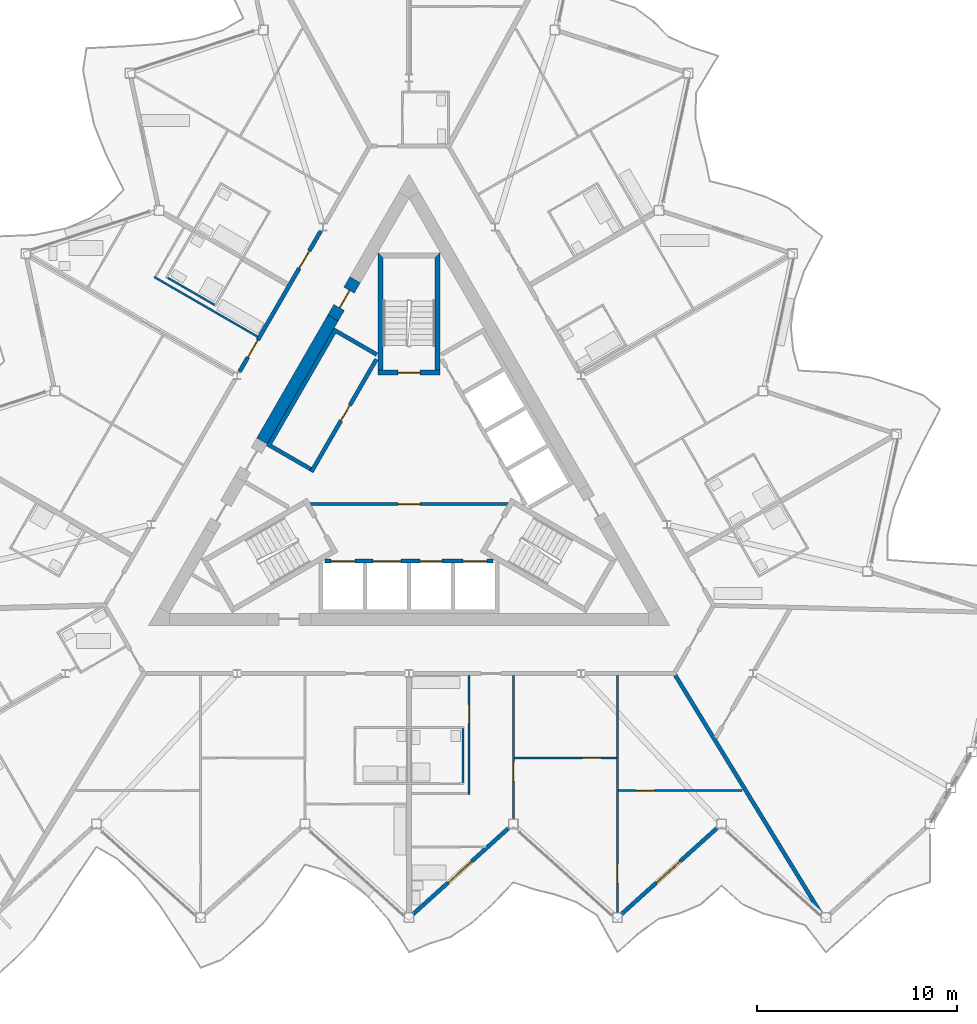
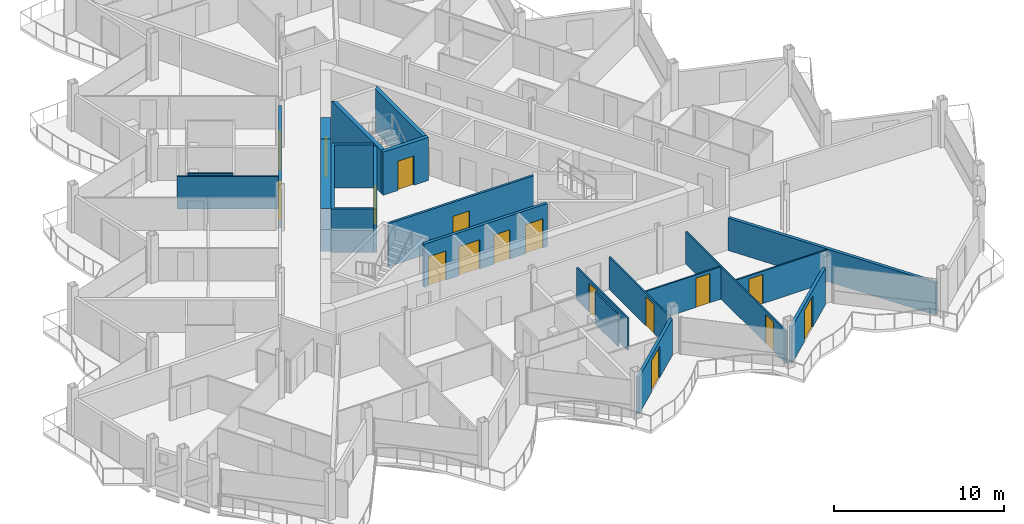
# One storey, part 14 of 26: 21 walls, 17 doors, 17 openings.
"""IFC4 building model written with IfcOpenShell, lengths in metres."""

from ifc_helpers import new_model, si_unit, direction, frame, frame_2d, origin, place, context, subcontext, project, spatial, polyline, rectangle, outline, extrude, material, layer, layer_set, type_object, element, fill, save


model = new_model("IFC4")

# Units and contexts
model_context = context("Model", 3, precision=1e-05, world=origin(), true_north=direction((0.0, 1.0)))
body_context = subcontext(model_context, "Body", "Model", "MODEL_VIEW")
ifc_project = project(units=[si_unit("LENGTHUNIT", "METRE"), si_unit("AREAUNIT", "SQUARE_METRE"), si_unit("VOLUMEUNIT", "CUBIC_METRE"), si_unit("PLANEANGLEUNIT", "RADIAN"), si_unit("MASSUNIT", "GRAM", prefix="KILO")], contexts=[model_context])

# Site, building, storey
site_placement = place(None, origin())
site = spatial("IfcSite", under=ifc_project, at=site_placement, CompositionType="ELEMENT")
building_placement = place(site_placement, origin())
building = spatial("IfcBuilding", under=site, at=building_placement, Name="Cormorant Prow Tower", CompositionType="ELEMENT")
storey_placement = place(building_placement, frame((0.0, 0.0, 401.800048828125)))
storey = spatial("IfcBuildingStorey", under=building, at=storey_placement, Name="L92", CompositionType="ELEMENT", Elevation=401.800048828125)

# Wall, opening, door
ifc_material_1 = material(Name="Gypsum board partition")
ifc_layer_1 = layer(ifc_material_1, 0.14990234375)
ifc_layer_set_1 = layer_set([ifc_layer_1], Name="Gypsum board partition")
wall_type_1 = type_object("IfcWallType", Name="Core partition 150", PredefinedType="PARTITIONING", material=ifc_layer_set_1)
wall_1_placement = place(storey_placement, frame((-4.941162109375, -1.449951171875, 0.0), z_axis=(0.0, 0.0, 1.0), x_axis=(1.0, 0.0, 0.0)))
wall_1 = element("IfcWall", 1, at=wall_1_placement, inside=storey, type_object=wall_type_1, Name="Firefighting lobby partition", PredefinedType="PARTITIONING", context=body_context, shape_type="SweptSolid", body=[
    extrude(rectangle(XDim=9.88232421875, YDim=0.14990234375, at=frame_2d((4.941162109375, 0.0))), origin(), (0.0, 0.0, 1.0), 3.099853515625),
])
opening_1_placement = place(wall_1_placement, frame((4.39111328125, 0.0, 0.0)))
opening_1 = element("IfcOpeningElement", 2, at=opening_1_placement, cuts=wall_1, Name="Opening L92-C10", PredefinedType="OPENING", context=body_context, shape_type="SweptSolid", body=[
    extrude(rectangle(XDim=1.10009765625, YDim=2.10009765625, at=frame_2d((0.550048828125, 1.050048828125))), frame((0.0, 0.0849609375, 0.0), z_axis=(0.0, -1.0, 0.0), x_axis=(1.0, 0.0, 0.0)), (0.0, 0.0, 1.0), 0.169921875),
])
ifc_material_2 = material(Name="Painted steel", Category="steel")
door_type_1 = type_object("IfcDoorType", Name="Firefighting lobby door 1100x2100", OperationType="NOTDEFINED", PredefinedType="DOOR", material=ifc_material_2)
door_1_placement = place(opening_1_placement, origin())
door_1 = element("IfcDoor", 3, at=door_1_placement, inside=storey, type_object=door_type_1, Name="Firefighting lobby door", OperationType="SINGLE_SWING_LEFT", OverallHeight=2.10009765625, OverallWidth=1.10009765625, PredefinedType="DOOR", context=body_context, shape_type="SweptSolid", body=[
    extrude(rectangle(XDim=1.10009765625, YDim=2.10009765625, at=frame_2d((0.550048828125, 1.050048828125))), frame((0.0, 0.02490234375, 0.0), z_axis=(0.0, -1.0, 0.0), x_axis=(1.0, 0.0, 0.0)), (0.0, 0.0, 1.0), 0.050048828125),
])
fill(opening_1, door_1)

# Wall
ifc_material_3 = material(Name="Concrete 8000 psi", Category="concrete")
ifc_layer_2 = layer(ifc_material_3, 0.60009765625)
ifc_layer_set_2 = layer_set([ifc_layer_2], Name="Concrete 8000 psi")
wall_type_2 = type_object("IfcWallType", Name="Core shear wall 600", PredefinedType="SHEAR", material=ifc_layer_set_2)
wall_2_placement = place(storey_placement, frame((-3.794189453125, 7.839599609375, 0.0), z_axis=(0.0, 0.0, 1.0), x_axis=(-0.499974747889, -0.866039982607, 0.0)))
element("IfcWall", 4, at=wall_2_placement, inside=storey, type_object=wall_type_2, Name="Core wall", PredefinedType="SHEAR", context=body_context, shape_type="SweptSolid", body=[
    extrude(rectangle(XDim=7.092041015625, YDim=0.60009765625, at=frame_2d((3.5458984375, 0.0))), origin(), (0.0, 0.0, 1.0), 3.099853515625),
])

# Wall, opening, door
wall_3_placement = place(storey_placement, frame((-2.694091796875, 9.744873046875, 0.0), z_axis=(0.0, 0.0, 1.0), x_axis=(-0.50002983664, -0.866008176907, 0.0)))
wall_3 = element("IfcWall", 5, at=wall_3_placement, inside=storey, type_object=wall_type_2, Name="Core wall door panel", PredefinedType="SHEAR", context=body_context, shape_type="SweptSolid", body=[
    extrude(rectangle(XDim=2.199951171875, YDim=0.60009765625, at=frame_2d((1.10009765625, 0.0))), origin(), (0.0, 0.0, 1.0), 3.099853515625),
])
opening_2_placement = place(wall_3_placement, frame((0.60009765625, 0.0, 0.0)))
opening_2 = element("IfcOpeningElement", 6, at=opening_2_placement, cuts=wall_3, Name="Opening L92-C17", PredefinedType="OPENING", context=body_context, shape_type="SweptSolid", body=[
    extrude(rectangle(XDim=1.0, YDim=2.10009765625, at=frame_2d((0.5, 1.050048828125))), frame((0.0, 0.31005859375, 0.0), z_axis=(0.0, -1.0, 0.0), x_axis=(1.0, 0.0, 0.0)), (0.0, 0.0, 1.0), 0.6201171875),
])
ifc_material_4 = material(Name="Painted steel", Category="steel")
door_type_2 = type_object("IfcDoorType", Name="Service door 1000x2100", OperationType="NOTDEFINED", PredefinedType="DOOR", material=ifc_material_4)
door_2_placement = place(opening_2_placement, origin())
door_2 = element("IfcDoor", 7, at=door_2_placement, inside=storey, type_object=door_type_2, Name="Core door, Refuse store", OperationType="SINGLE_SWING_LEFT", OverallHeight=2.10009765625, OverallWidth=1.0, PredefinedType="DOOR", context=body_context, shape_type="SweptSolid", body=[
    extrude(rectangle(XDim=1.0, YDim=2.10009765625, at=frame_2d((0.5, 1.050048828125))), frame((0.0, 0.05517578125, 0.0), z_axis=(0.0, -1.0, 0.0), x_axis=(1.0, 0.0, 0.0)), (0.0, 0.0, 1.0), 0.050048828125),
])
fill(opening_2, door_2)

# Wall, openings, doors
ifc_material_5 = material(Name="Gypsum board corridor wall")
ifc_layer_3 = layer(ifc_material_5, 0.199951171875)
ifc_layer_set_3 = layer_set([ifc_layer_3], Name="Gypsum board corridor wall")
wall_type_3 = type_object("IfcWallType", Name="Corridor wall 200", PredefinedType="PARTITIONING", material=ifc_layer_set_3)
wall_4_placement = place(storey_placement, frame((-8.464599609375, 5.14990234375, 0.0), z_axis=(0.0, 0.0, 1.0), x_axis=(0.499992155518, 0.866029932751, 0.0)))
wall_4 = element("IfcWall", 8, at=wall_4_placement, inside=storey, type_object=wall_type_3, Name="Corridor wall", PredefinedType="PARTITIONING", context=body_context, shape_type="SweptSolid", body=[
    extrude(rectangle(XDim=8.123291015625, YDim=0.199951171875, at=frame_2d((4.0615234375, 0.0))), origin(), (0.0, 0.0, 1.0), 3.099853515625),
])
opening_3_placement = place(wall_4_placement, frame((5.97021484375, 0.0, 0.0)))
opening_3 = element("IfcOpeningElement", 9, at=opening_3_placement, cuts=wall_4, Name="Opening L92-F39", PredefinedType="OPENING", context=body_context, shape_type="SweptSolid", body=[
    extrude(rectangle(XDim=1.0, YDim=2.10009765625, at=frame_2d((0.5, 1.050048828125))), frame((0.0, 0.10986328125, 0.0), z_axis=(0.0, -1.0, 0.0), x_axis=(1.0, 0.0, 0.0)), (0.0, 0.0, 1.0), 0.219970703125),
])
opening_4_placement = place(wall_4_placement, frame((0.832275390625, 0.0, 0.0)))
opening_4 = element("IfcOpeningElement", 10, at=opening_4_placement, cuts=wall_4, Name="Opening L92-F44", PredefinedType="OPENING", context=body_context, shape_type="SweptSolid", body=[
    extrude(rectangle(XDim=1.0, YDim=2.10009765625, at=frame_2d((0.5, 1.050048828125))), frame((0.0, 0.10986328125, 0.0), z_axis=(0.0, -1.0, 0.0), x_axis=(1.0, 0.0, 0.0)), (0.0, 0.0, 1.0), 0.219970703125),
])
ifc_material_6 = material(Name="Timber door leaf", Category="wood")
door_type_3 = type_object("IfcDoorType", Name="Flat or room entrance door 1000x2100", OperationType="NOTDEFINED", PredefinedType="DOOR", material=ifc_material_6)
door_3_placement = place(opening_3_placement, origin())
door_3 = element("IfcDoor", 11, at=door_3_placement, inside=storey, type_object=door_type_3, Name="Living room door", OperationType="SINGLE_SWING_LEFT", OverallHeight=2.10009765625, OverallWidth=1.0, PredefinedType="DOOR", context=body_context, shape_type="SweptSolid", body=[
    extrude(rectangle(XDim=1.0, YDim=2.10009765625, at=frame_2d((0.5, 1.050048828125))), frame((0.0, 0.02490234375, 0.0), z_axis=(0.0, -1.0, 0.0), x_axis=(1.0, 0.0, 0.0)), (0.0, 0.0, 1.0), 0.050048828125),
])
fill(opening_3, door_3)
door_4_placement = place(opening_4_placement, origin())
door_4 = element("IfcDoor", 12, at=door_4_placement, inside=storey, type_object=door_type_3, Name="Living room door", OperationType="SINGLE_SWING_RIGHT", OverallHeight=2.10009765625, OverallWidth=1.0, PredefinedType="DOOR", context=body_context, shape_type="SweptSolid", body=[
    extrude(rectangle(XDim=1.0, YDim=2.10009765625, at=frame_2d((0.5, 1.050048828125))), frame((0.0, 0.02490234375, 0.0), z_axis=(0.0, -1.0, 0.0), x_axis=(1.0, 0.0, 0.0)), (0.0, 0.0, 1.0), 0.050048828125),
])
fill(opening_4, door_4)

# Wall
ifc_material_7 = material(Name="Gypsum board demising wall")
ifc_layer_4 = layer(ifc_material_7, 0.199951171875)
ifc_layer_set_4 = layer_set([ifc_layer_4], Name="Gypsum board demising wall")
wall_type_4 = type_object("IfcWallType", Name="Demising wall 200", PredefinedType="PARTITIONING", material=ifc_layer_set_4)
wall_5_placement = place(storey_placement, frame((13.282958984375, -9.990966796875, 0.0), z_axis=(0.0, 0.0, 1.0), x_axis=(0.521777294246, -0.853081740052, 0.0)))
element("IfcWall", 13, at=wall_5_placement, inside=storey, type_object=wall_type_4, Name="Demising wall", PredefinedType="PARTITIONING", context=body_context, shape_type="SweptSolid", body=[
    extrude(rectangle(XDim=13.908447265625, YDim=0.199951171875, at=frame_2d((6.9541015625, 0.0))), origin(), (0.0, 0.0, 1.0), 2.330078125),
])

# Wall, opening, door
ifc_material_8 = material(Name="Gypsum board partition")
ifc_layer_5 = layer(ifc_material_8, 0.10009765625)
ifc_layer_set_5 = layer_set([ifc_layer_5], Name="Gypsum board partition")
wall_type_5 = type_object("IfcWallType", Name="Internal partition 100", PredefinedType="PARTITIONING", material=ifc_layer_set_5)
wall_6_placement = place(storey_placement, frame((10.39990234375, -21.827880859375, 0.0), z_axis=(0.0, 0.0, 1.0), x_axis=(0.0, 1.0, 0.0)))
wall_6 = element("IfcWall", 14, at=wall_6_placement, inside=storey, type_object=wall_type_5, Name="Internal partition", PredefinedType="PARTITIONING", context=body_context, shape_type="SweptSolid", body=[
    extrude(rectangle(XDim=11.822265625, YDim=0.10009765625, at=frame_2d((5.9111328125, 0.0))), origin(), (0.0, 0.0, 1.0), 2.330078125),
])
opening_5_placement = place(wall_6_placement, frame((1.45849609375, 0.0, 0.0)))
opening_5 = element("IfcOpeningElement", 15, at=opening_5_placement, cuts=wall_6, Name="Opening L92-F13", PredefinedType="OPENING", context=body_context, shape_type="SweptSolid", body=[
    extrude(rectangle(XDim=0.949951171875, YDim=2.10009765625, at=frame_2d((0.47509765625, 1.050048828125))), frame((0.0, 0.06005859375, 0.0), z_axis=(0.0, -1.0, 0.0), x_axis=(1.0, 0.0, 0.0)), (0.0, 0.0, 1.0), 0.1201171875),
])
ifc_material_9 = material(Name="Timber door leaf", Category="wood")
door_type_4 = type_object("IfcDoorType", Name="Bathroom door 950x2100", OperationType="NOTDEFINED", PredefinedType="DOOR", material=ifc_material_9)
door_5_placement = place(opening_5_placement, origin())
door_5 = element("IfcDoor", 16, at=door_5_placement, inside=storey, type_object=door_type_4, Name="Bedroom door", OperationType="SINGLE_SWING_RIGHT", OverallHeight=2.10009765625, OverallWidth=0.949951171875, PredefinedType="DOOR", context=body_context, shape_type="SweptSolid", body=[
    extrude(rectangle(XDim=0.949951171875, YDim=2.10009765625, at=frame_2d((0.47509765625, 1.050048828125))), frame((0.0, 0.02490234375, 0.0), z_axis=(0.0, -1.0, 0.0), x_axis=(1.0, 0.0, 0.0)), (0.0, 0.0, 1.0), 0.050048828125),
])
fill(opening_5, door_5)

wall_7_placement = place(storey_placement, frame((5.199951171875, -17.145751953125, 0.0), z_axis=(0.0, 0.0, 1.0), x_axis=(0.0, 1.0, 0.0)))
wall_7 = element("IfcWall", 17, at=wall_7_placement, inside=storey, type_object=wall_type_5, Name="Internal partition", PredefinedType="PARTITIONING", context=body_context, shape_type="SweptSolid", body=[
    extrude(rectangle(XDim=7.14013671875, YDim=0.10009765625, at=frame_2d((3.570068359375, 0.0))), origin(), (0.0, 0.0, 1.0), 2.330078125),
])
opening_6_placement = place(wall_7_placement, frame((1.875732421875, 0.0, 0.0)))
opening_6 = element("IfcOpeningElement", 18, at=opening_6_placement, cuts=wall_7, Name="Opening L92-F11", PredefinedType="OPENING", context=body_context, shape_type="SweptSolid", body=[
    extrude(rectangle(XDim=0.949951171875, YDim=2.10009765625, at=frame_2d((0.47509765625, 1.050048828125))), frame((0.0, 0.06005859375, 0.0), z_axis=(0.0, -1.0, 0.0), x_axis=(1.0, 0.0, 0.0)), (0.0, 0.0, 1.0), 0.1201171875),
])
door_6_placement = place(opening_6_placement, origin())
door_6 = element("IfcDoor", 19, at=door_6_placement, inside=storey, type_object=door_type_4, Name="Living room door", OperationType="SINGLE_SWING_RIGHT", OverallHeight=2.10009765625, OverallWidth=0.949951171875, PredefinedType="DOOR", context=body_context, shape_type="SweptSolid", body=[
    extrude(rectangle(XDim=0.949951171875, YDim=2.10009765625, at=frame_2d((0.47509765625, 1.050048828125))), frame((0.0, 0.02490234375, 0.0), z_axis=(0.0, -1.0, 0.0), x_axis=(1.0, 0.0, 0.0)), (0.0, 0.0, 1.0), 0.050048828125),
])
fill(opening_6, door_6)

wall_8_placement = place(storey_placement, frame((10.449951171875, -15.7548828125, 0.0), z_axis=(0.0, 0.0, 1.0), x_axis=(1.0, 0.0, 0.0)))
wall_8 = element("IfcWall", 20, at=wall_8_placement, inside=storey, type_object=wall_type_5, Name="Internal partition", PredefinedType="PARTITIONING", context=body_context, shape_type="SweptSolid", body=[
    extrude(rectangle(XDim=6.157958984375, YDim=0.10009765625, at=frame_2d((3.0791015625, 0.0))), origin(), (0.0, 0.0, 1.0), 2.330078125),
])
opening_7_placement = place(wall_8_placement, frame((0.85107421875, 0.0, 0.0)))
opening_7 = element("IfcOpeningElement", 21, at=opening_7_placement, cuts=wall_8, Name="Opening L92-F14", PredefinedType="OPENING", context=body_context, shape_type="SweptSolid", body=[
    extrude(rectangle(XDim=0.949951171875, YDim=2.10009765625, at=frame_2d((0.47509765625, 1.050048828125))), frame((0.0, 0.06005859375, 0.0), z_axis=(0.0, -1.0, 0.0), x_axis=(1.0, 0.0, 0.0)), (0.0, 0.0, 1.0), 0.1201171875),
])
door_7_placement = place(opening_7_placement, origin())
door_7 = element("IfcDoor", 22, at=door_7_placement, inside=storey, type_object=door_type_4, Name="Bedroom door", OperationType="SINGLE_SWING_LEFT", OverallHeight=2.10009765625, OverallWidth=0.949951171875, PredefinedType="DOOR", context=body_context, shape_type="SweptSolid", body=[
    extrude(rectangle(XDim=0.949951171875, YDim=2.10009765625, at=frame_2d((0.47509765625, 1.050048828125))), frame((0.0, 0.02490234375, 0.0), z_axis=(0.0, -1.0, 0.0), x_axis=(1.0, 0.0, 0.0)), (0.0, 0.0, 1.0), 0.050048828125),
])
fill(opening_7, door_7)

# Wall
wall_9_placement = place(storey_placement, frame((-12.718017578125, 9.883056640625, 0.0), z_axis=(0.0, 0.0, 1.0), x_axis=(0.866017493347, -0.500013701029, 0.0)))
element("IfcWall", 23, at=wall_9_placement, inside=storey, type_object=wall_type_5, Name="Internal partition", PredefinedType="PARTITIONING", context=body_context, shape_type="SweptSolid", body=[
    extrude(rectangle(XDim=5.949951171875, YDim=0.10009765625, at=frame_2d((2.97509765625, 0.0))), origin(), (0.0, 0.0, 1.0), 2.330078125),
])

# Wall, opening, door
wall_10_placement = place(storey_placement, frame((3.0, -15.95556640625, 0.0), z_axis=(0.0, 0.0, 1.0), x_axis=(0.0, 1.0, 0.0)))
wall_10 = element("IfcWall", 24, at=wall_10_placement, inside=storey, type_object=wall_type_5, Name="Internal partition", PredefinedType="PARTITIONING", context=body_context, shape_type="SweptSolid", body=[
    extrude(rectangle(XDim=5.949951171875, YDim=0.10009765625, at=frame_2d((2.97509765625, 0.0))), origin(), (0.0, 0.0, 1.0), 2.330078125),
])
opening_8_placement = place(wall_10_placement, frame((3.550048828125, 0.0, 0.0)))
opening_8 = element("IfcOpeningElement", 25, at=opening_8_placement, cuts=wall_10, Name="Opening L92-F10", PredefinedType="OPENING", context=body_context, shape_type="SweptSolid", body=[
    extrude(rectangle(XDim=0.949951171875, YDim=2.10009765625, at=frame_2d((0.47509765625, 1.050048828125))), frame((0.0, 0.06005859375, 0.0), z_axis=(0.0, -1.0, 0.0), x_axis=(1.0, 0.0, 0.0)), (0.0, 0.0, 1.0), 0.1201171875),
])
door_8_placement = place(opening_8_placement, origin())
door_8 = element("IfcDoor", 26, at=door_8_placement, inside=storey, type_object=door_type_4, Name="Living room door", OperationType="SINGLE_SWING_LEFT", OverallHeight=2.10009765625, OverallWidth=0.949951171875, PredefinedType="DOOR", context=body_context, shape_type="SweptSolid", body=[
    extrude(rectangle(XDim=0.949951171875, YDim=2.10009765625, at=frame_2d((0.47509765625, 1.050048828125))), frame((0.0, 0.02490234375, 0.0), z_axis=(0.0, -1.0, 0.0), x_axis=(1.0, 0.0, 0.0)), (0.0, 0.0, 1.0), 0.050048828125),
])
fill(opening_8, door_8)

wall_11_placement = place(storey_placement, frame((5.25, -14.12060546875, 0.0), z_axis=(0.0, 0.0, 1.0), x_axis=(1.0, 0.0, 0.0)))
wall_11 = element("IfcWall", 27, at=wall_11_placement, inside=storey, type_object=wall_type_5, Name="Internal partition", PredefinedType="PARTITIONING", context=body_context, shape_type="SweptSolid", body=[
    extrude(rectangle(XDim=5.10009765625, YDim=0.10009765625, at=frame_2d((2.550048828125, 0.0))), origin(), (0.0, 0.0, 1.0), 2.330078125),
])
opening_9_placement = place(wall_11_placement, frame((3.39306640625, 0.0, 0.0)))
opening_9 = element("IfcOpeningElement", 28, at=opening_9_placement, cuts=wall_11, Name="Opening L92-F12", PredefinedType="OPENING", context=body_context, shape_type="SweptSolid", body=[
    extrude(rectangle(XDim=0.949951171875, YDim=2.10009765625, at=frame_2d((0.47509765625, 1.050048828125))), frame((0.0, 0.06005859375, 0.0), z_axis=(0.0, -1.0, 0.0), x_axis=(1.0, 0.0, 0.0)), (0.0, 0.0, 1.0), 0.1201171875),
])
door_9_placement = place(opening_9_placement, origin())
door_9 = element("IfcDoor", 29, at=door_9_placement, inside=storey, type_object=door_type_4, Name="Bedroom door", OperationType="SINGLE_SWING_RIGHT", OverallHeight=2.10009765625, OverallWidth=0.949951171875, PredefinedType="DOOR", context=body_context, shape_type="SweptSolid", body=[
    extrude(rectangle(XDim=0.949951171875, YDim=2.10009765625, at=frame_2d((0.47509765625, 1.050048828125))), frame((0.0, 0.02490234375, 0.0), z_axis=(0.0, -1.0, 0.0), x_axis=(1.0, 0.0, 0.0)), (0.0, 0.0, 1.0), 0.050048828125),
])
fill(opening_9, door_9)

# Walls
wall_12_placement = place(storey_placement, frame((-12.04833984375, 9.8427734375, 0.0), z_axis=(0.0, 0.0, 1.0), x_axis=(0.866059108428, -0.4999416173, 0.0)))
element("IfcWall", 30, at=wall_12_placement, inside=storey, type_object=wall_type_5, Name="Internal partition", PredefinedType="PARTITIONING", context=body_context, shape_type="SweptSolid", body=[
    extrude(rectangle(XDim=2.699951171875, YDim=0.10009765625, at=frame_2d((1.35009765625, 0.0))), origin(), (0.0, 0.0, 1.0), 2.330078125),
])
wall_13_placement = place(storey_placement, frame((2.699951171875, -15.355712890625, 0.0), z_axis=(0.0, 0.0, 1.0), x_axis=(0.0, 1.0, 0.0)))
element("IfcWall", 31, at=wall_13_placement, inside=storey, type_object=wall_type_5, Name="Internal partition", PredefinedType="PARTITIONING", context=body_context, shape_type="SweptSolid", body=[
    extrude(rectangle(XDim=2.7001953125, YDim=0.10009765625, at=frame_2d((1.35009765625, 0.0))), origin(), (0.0, 0.0, 1.0), 2.330078125),
])

# Wall, openings, doors
ifc_material_10 = material(Name="Concrete 5000 psi", Category="concrete")
ifc_layer_6 = layer(ifc_material_10, 0.199951171875)
ifc_layer_set_6 = layer_set([ifc_layer_6], Name="Concrete 5000 psi")
wall_type_6 = type_object("IfcWallType", Name="Lift lobby wall 200", PredefinedType="SOLIDWALL", material=ifc_layer_set_6)
wall_14_placement = place(storey_placement, frame((-4.1865234375, -4.300048828125, 0.0), z_axis=(0.0, 0.0, 1.0), x_axis=(1.0, 0.0, 0.0)))
wall_14 = element("IfcWall", 32, at=wall_14_placement, inside=storey, type_object=wall_type_6, Name="Lift lobby wall, S block", PredefinedType="SOLIDWALL", context=body_context, shape_type="SweptSolid", body=[
    extrude(rectangle(XDim=8.373046875, YDim=0.199951171875, at=frame_2d((4.1865234375, 0.0))), origin(), (0.0, 0.0, 1.0), 3.099853515625),
])
opening_10_placement = place(wall_14_placement, frame((0.28662109375, 0.0, 0.0)))
opening_10 = element("IfcOpeningElement", 33, at=opening_10_placement, cuts=wall_14, Name="Opening L92-C01", PredefinedType="OPENING", context=body_context, shape_type="SweptSolid", body=[
    extrude(rectangle(XDim=1.199951171875, YDim=2.10009765625, at=frame_2d((0.60009765625, 1.050048828125))), frame((0.0, 0.10986328125, 0.0), z_axis=(0.0, -1.0, 0.0), x_axis=(1.0, 0.0, 0.0)), (0.0, 0.0, 1.0), 0.219970703125),
])
opening_11_placement = place(wall_14_placement, frame((2.38671875, 0.0, 0.0)))
opening_11 = element("IfcOpeningElement", 34, at=opening_11_placement, cuts=wall_14, Name="Opening L92-C02", PredefinedType="OPENING", context=body_context, shape_type="SweptSolid", body=[
    extrude(rectangle(XDim=1.39990234375, YDim=2.10009765625, at=frame_2d((0.699951171875, 1.050048828125))), frame((0.0, 0.10986328125, 0.0), z_axis=(0.0, -1.0, 0.0), x_axis=(1.0, 0.0, 0.0)), (0.0, 0.0, 1.0), 0.219970703125),
])
opening_12_placement = place(wall_14_placement, frame((4.736572265625, 0.0, 0.0)))
opening_12 = element("IfcOpeningElement", 35, at=opening_12_placement, cuts=wall_14, Name="Opening L92-C03", PredefinedType="OPENING", context=body_context, shape_type="SweptSolid", body=[
    extrude(rectangle(XDim=1.10009765625, YDim=2.10009765625, at=frame_2d((0.550048828125, 1.050048828125))), frame((0.0, 0.10986328125, 0.0), z_axis=(0.0, -1.0, 0.0), x_axis=(1.0, 0.0, 0.0)), (0.0, 0.0, 1.0), 0.219970703125),
])
opening_13_placement = place(wall_14_placement, frame((6.88671875, 0.0, 0.0)))
opening_13 = element("IfcOpeningElement", 36, at=opening_13_placement, cuts=wall_14, Name="Opening L92-C04", PredefinedType="OPENING", context=body_context, shape_type="SweptSolid", body=[
    extrude(rectangle(XDim=1.199951171875, YDim=2.10009765625, at=frame_2d((0.60009765625, 1.050048828125))), frame((0.0, 0.10986328125, 0.0), z_axis=(0.0, -1.0, 0.0), x_axis=(1.0, 0.0, 0.0)), (0.0, 0.0, 1.0), 0.219970703125),
])
ifc_material_11 = material(Name="Painted steel", Category="steel")
door_type_5 = type_object("IfcDoorType", Name="Firefighting lift landing door 1200x2100", OperationType="SLIDING_TO_LEFT", PredefinedType="DOOR", material=ifc_material_11)
door_10_placement = place(opening_10_placement, origin())
door_10 = element("IfcDoor", 37, at=door_10_placement, inside=storey, type_object=door_type_5, Name="Landing door FL1", OperationType="SLIDING_TO_LEFT", OverallHeight=2.10009765625, OverallWidth=1.199951171875, PredefinedType="DOOR", context=body_context, shape_type="SweptSolid", body=[
    extrude(rectangle(XDim=1.199951171875, YDim=2.10009765625, at=frame_2d((0.60009765625, 1.050048828125))), frame((0.0, 0.02490234375, 0.0), z_axis=(0.0, -1.0, 0.0), x_axis=(1.0, 0.0, 0.0)), (0.0, 0.0, 1.0), 0.050048828125),
])
fill(opening_10, door_10)
door_11_placement = place(opening_13_placement, origin())
door_11 = element("IfcDoor", 38, at=door_11_placement, inside=storey, type_object=door_type_5, Name="Landing door FL2", OperationType="SLIDING_TO_LEFT", OverallHeight=2.10009765625, OverallWidth=1.199951171875, PredefinedType="DOOR", context=body_context, shape_type="SweptSolid", body=[
    extrude(rectangle(XDim=1.199951171875, YDim=2.10009765625, at=frame_2d((0.60009765625, 1.050048828125))), frame((0.0, 0.02490234375, 0.0), z_axis=(0.0, -1.0, 0.0), x_axis=(1.0, 0.0, 0.0)), (0.0, 0.0, 1.0), 0.050048828125),
])
fill(opening_13, door_11)
ifc_material_12 = material(Name="Painted steel", Category="steel")
door_type_6 = type_object("IfcDoorType", Name="Lift landing door 1100x2100", OperationType="SLIDING_TO_LEFT", PredefinedType="DOOR", material=ifc_material_12)
door_12_placement = place(opening_12_placement, origin())
door_12 = element("IfcDoor", 39, at=door_12_placement, inside=storey, type_object=door_type_6, Name="Landing door HR1", OperationType="SLIDING_TO_LEFT", OverallHeight=2.10009765625, OverallWidth=1.10009765625, PredefinedType="DOOR", context=body_context, shape_type="SweptSolid", body=[
    extrude(rectangle(XDim=1.10009765625, YDim=2.10009765625, at=frame_2d((0.550048828125, 1.050048828125))), frame((0.0, 0.02490234375, 0.0), z_axis=(0.0, -1.0, 0.0), x_axis=(1.0, 0.0, 0.0)), (0.0, 0.0, 1.0), 0.050048828125),
])
fill(opening_12, door_12)
ifc_material_13 = material(Name="Painted steel", Category="steel")
door_type_7 = type_object("IfcDoorType", Name="Service lift landing door 1400x2100", OperationType="SLIDING_TO_LEFT", PredefinedType="DOOR", material=ifc_material_13)
door_13_placement = place(opening_11_placement, origin())
door_13 = element("IfcDoor", 40, at=door_13_placement, inside=storey, type_object=door_type_7, Name="Landing door SL1", OperationType="SLIDING_TO_LEFT", OverallHeight=2.10009765625, OverallWidth=1.39990234375, PredefinedType="DOOR", context=body_context, shape_type="SweptSolid", body=[
    extrude(rectangle(XDim=1.39990234375, YDim=2.10009765625, at=frame_2d((0.699951171875, 1.050048828125))), frame((0.0, 0.02490234375, 0.0), z_axis=(0.0, -1.0, 0.0), x_axis=(1.0, 0.0, 0.0)), (0.0, 0.0, 1.0), 0.050048828125),
])
fill(opening_11, door_13)

# Wall, opening, door
wall_15_placement = place(storey_placement, frame((-1.630615234375, 5.775634765625, 0.0), z_axis=(0.0, 0.0, 1.0), x_axis=(-0.499992876559, -0.866029516466, 0.0)))
wall_15 = element("IfcWall", 41, at=wall_15_placement, inside=storey, type_object=wall_type_6, Name="Lift lobby wall, WNW block", PredefinedType="SOLIDWALL", context=body_context, shape_type="SweptSolid", body=[
    extrude(rectangle(XDim=6.486328125, YDim=0.199951171875, at=frame_2d((3.2431640625, 0.0))), origin(), (0.0, 0.0, 1.0), 3.099853515625),
])
opening_14_placement = place(wall_15_placement, frame((2.63671875, 0.0, 0.0)))
opening_14 = element("IfcOpeningElement", 42, at=opening_14_placement, cuts=wall_15, Name="Opening L92-C09", PredefinedType="OPENING", context=body_context, shape_type="SweptSolid", body=[
    extrude(rectangle(XDim=0.89990234375, YDim=2.10009765625, at=frame_2d((0.449951171875, 1.050048828125))), frame((0.0, 0.10986328125, 0.0), z_axis=(0.0, -1.0, 0.0), x_axis=(1.0, 0.0, 0.0)), (0.0, 0.0, 1.0), 0.219970703125),
])
ifc_material_14 = material(Name="Painted steel", Category="steel")
door_type_8 = type_object("IfcDoorType", Name="Service door 900x2100", OperationType="NOTDEFINED", PredefinedType="DOOR", material=ifc_material_14)
door_14_placement = place(opening_14_placement, origin())
door_14 = element("IfcDoor", 43, at=door_14_placement, inside=storey, type_object=door_type_8, Name="Service door, Housekeeping store", OperationType="SINGLE_SWING_RIGHT", OverallHeight=2.10009765625, OverallWidth=0.89990234375, PredefinedType="DOOR", context=body_context, shape_type="SweptSolid", body=[
    extrude(rectangle(XDim=0.89990234375, YDim=2.10009765625, at=frame_2d((0.449951171875, 1.050048828125))), frame((0.0, 0.02490234375, 0.0), z_axis=(0.0, -1.0, 0.0), x_axis=(1.0, 0.0, 0.0)), (0.0, 0.0, 1.0), 0.050048828125),
])
fill(opening_14, door_14)

# Walls
ifc_material_15 = material(Name="Concrete 8000 psi", Category="concrete")
ifc_layer_7 = layer(ifc_material_15, 0.199951171875)
ifc_layer_set_7 = layer_set([ifc_layer_7], Name="Concrete 8000 psi")
wall_type_7 = type_object("IfcWallType", Name="Lift shaft wall 200", PredefinedType="SHEAR", material=ifc_layer_set_7)
wall_16_placement = place(storey_placement, origin())
element("IfcWall", 44, at=wall_16_placement, inside=storey, type_object=wall_type_7, Name="Lift shaft walls, WNW block", PredefinedType="SHEAR", context=body_context, shape_type="SweptSolid", body=[
    extrude(outline(polyline([(-4.96044921875, 0.2080078125), (-7.130859375, 1.461181640625), (-3.730712890625, 7.35009765625), (-1.560546875, 6.09716796875), (-1.660400390625, 5.923828125), (-3.65234375, 7.073974609375), (-6.852294921875, 1.53125), (-4.860595703125, 0.38134765625), (-4.96044921875, 0.2080078125)])), origin(), (0.0, 0.0, 1.0), 3.099853515625),
])
ifc_material_16 = material(Name="Concrete 8000 psi", Category="concrete")
ifc_layer_8 = layer(ifc_material_16, 0.25)
ifc_layer_set_8 = layer_set([ifc_layer_8], Name="Concrete 8000 psi")
wall_type_8 = type_object("IfcWallType", Name="Stair wall 250", PredefinedType="SHEAR", material=ifc_layer_set_8)
wall_17_placement = place(storey_placement, origin())
element("IfcWall", 45, at=wall_17_placement, inside=storey, type_object=wall_type_8, Name="Stair ST3 enclosure wall (flank)", PredefinedType="SHEAR", context=body_context, shape_type="SweptSolid", body=[
    extrude(outline(polyline([(1.5439453125, 5.23681640625), (1.5439453125, 11.0869140625), (1.2939453125, 10.8369140625), (1.2939453125, 5.23681640625), (1.5439453125, 5.23681640625)])), origin(), (0.0, 0.0, 1.0), 3.099853515625),
])
wall_18_placement = place(storey_placement, origin())
element("IfcWall", 46, at=wall_18_placement, inside=storey, type_object=wall_type_8, Name="Stair ST3 enclosure wall (flank)", PredefinedType="SHEAR", context=body_context, shape_type="SweptSolid", body=[
    extrude(outline(polyline([(-1.2939453125, 10.8369140625), (-1.5439453125, 11.0869140625), (-1.5439453125, 5.23681640625), (-1.2939453125, 5.23681640625), (-1.2939453125, 10.8369140625)])), origin(), (0.0, 0.0, 1.0), 3.099853515625),
])

# Wall, opening, door
wall_19_placement = place(storey_placement, frame((1.5439453125, 5.11181640625, 0.0), z_axis=(0.0, 0.0, 1.0), x_axis=(-1.0, 0.0, 0.0)))
wall_19 = element("IfcWall", 47, at=wall_19_placement, inside=storey, type_object=wall_type_8, Name="Stair ST3 door wall", PredefinedType="SHEAR", context=body_context, shape_type="SweptSolid", body=[
    extrude(rectangle(XDim=3.087890625, YDim=0.25, at=frame_2d((1.5439453125, 0.0))), origin(), (0.0, 0.0, 1.0), 3.099853515625),
])
opening_15_placement = place(wall_19_placement, frame((0.993896484375, 0.0, 0.0)))
opening_15 = element("IfcOpeningElement", 48, at=opening_15_placement, cuts=wall_19, Name="Opening L92-C13", PredefinedType="OPENING", context=body_context, shape_type="SweptSolid", body=[
    extrude(rectangle(XDim=1.10009765625, YDim=2.10009765625, at=frame_2d((0.550048828125, 1.050048828125))), frame((0.0, 0.135009765625, 0.0), z_axis=(0.0, -1.0, 0.0), x_axis=(1.0, 0.0, 0.0)), (0.0, 0.0, 1.0), 0.27001953125),
])
ifc_material_17 = material(Name="Painted steel", Category="steel")
door_type_9 = type_object("IfcDoorType", Name="Stair door 1100x2100", OperationType="NOTDEFINED", PredefinedType="DOOR", material=ifc_material_17)
door_15_placement = place(opening_15_placement, origin())
door_15 = element("IfcDoor", 49, at=door_15_placement, inside=storey, type_object=door_type_9, Name="Stair ST3 door", OperationType="SINGLE_SWING_LEFT", OverallHeight=2.10009765625, OverallWidth=1.10009765625, PredefinedType="DOOR", context=body_context, shape_type="SweptSolid", body=[
    extrude(rectangle(XDim=1.10009765625, YDim=2.10009765625, at=frame_2d((0.550048828125, 1.050048828125))), frame((0.0, 0.02490234375, 0.0), z_axis=(0.0, -1.0, 0.0), x_axis=(1.0, 0.0, 0.0)), (0.0, 0.0, 1.0), 0.050048828125),
])
fill(opening_15, door_15)

ifc_material_18 = material(Name="Terracotta", Category="masonry")
ifc_layer_9 = layer(ifc_material_18, 0.199951171875)
ifc_layer_set_9 = layer_set([ifc_layer_9], Name="Terracotta")
wall_type_9 = type_object("IfcWallType", Name="Terracotta jamb wall 200", PredefinedType="SOLIDWALL", material=ifc_layer_set_9)
wall_20_placement = place(storey_placement, frame((0.205078125, -21.911865234375, 0.0), z_axis=(0.0, 0.0, 1.0), x_axis=(0.743132515916, 0.669144277259, 0.0)))
wall_20 = element("IfcWall", 50, at=wall_20_placement, inside=storey, type_object=wall_type_9, Name="Terracotta jamb wall S05", PredefinedType="SOLIDWALL", context=body_context, shape_type="SweptSolid", body=[
    extrude(rectangle(XDim=6.385009765625, YDim=0.199951171875, at=frame_2d((3.1923828125, 0.0))), origin(), (0.0, 0.0, 1.0), 2.6337890625),
])
opening_16_placement = place(wall_20_placement, frame((2.332763671875, 0.0, 0.0)))
opening_16 = element("IfcOpeningElement", 51, at=opening_16_placement, cuts=wall_20, Name="Opening ED92.03", PredefinedType="OPENING", context=body_context, shape_type="SweptSolid", body=[
    extrude(rectangle(XDim=1.60009765625, YDim=2.25, at=frame_2d((0.800048828125, 1.125))), frame((0.0, 0.10986328125, 0.0), z_axis=(0.0, -1.0, 0.0), x_axis=(1.0, 0.0, 0.0)), (0.0, 0.0, 1.0), 0.219970703125),
])
ifc_material_19 = material(Name="Aluminium 6063-T6", Category="aluminium")
door_type_10 = type_object("IfcDoorType", Name="Balcony door 1600x2250", OperationType="DOUBLE_DOOR_SINGLE_SWING", PredefinedType="DOOR", material=ifc_material_19)
door_16_placement = place(opening_16_placement, origin())
door_16 = element("IfcDoor", 52, at=door_16_placement, inside=storey, type_object=door_type_10, Name="Balcony door S05 ED92.03", OperationType="DOUBLE_DOOR_SINGLE_SWING", OverallHeight=2.25, OverallWidth=1.60009765625, PredefinedType="DOOR", context=body_context, shape_type="SweptSolid", body=[
    extrude(rectangle(XDim=1.60009765625, YDim=2.25, at=frame_2d((0.800048828125, 1.125))), frame((0.0, 0.02490234375, 0.0), z_axis=(0.0, -1.0, 0.0), x_axis=(1.0, 0.0, 0.0)), (0.0, 0.0, 1.0), 0.050048828125),
])
fill(opening_16, door_16)

wall_21_placement = place(storey_placement, frame((10.60498046875, -21.911865234375, 0.0), z_axis=(0.0, 0.0, 1.0), x_axis=(0.743149635876, 0.669125263831, 0.0)))
wall_21 = element("IfcWall", 53, at=wall_21_placement, inside=storey, type_object=wall_type_9, Name="Terracotta jamb wall S07", PredefinedType="SOLIDWALL", context=body_context, shape_type="SweptSolid", body=[
    extrude(rectangle(XDim=6.38525390625, YDim=0.199951171875, at=frame_2d((3.192626953125, 0.0))), origin(), (0.0, 0.0, 1.0), 2.6337890625),
])
opening_17_placement = place(wall_21_placement, frame((2.332763671875, 0.0, 0.0)))
opening_17 = element("IfcOpeningElement", 54, at=opening_17_placement, cuts=wall_21, Name="Opening ED92.04", PredefinedType="OPENING", context=body_context, shape_type="SweptSolid", body=[
    extrude(rectangle(XDim=1.60009765625, YDim=2.25, at=frame_2d((0.800048828125, 1.125))), frame((0.0, 0.10986328125, 0.0), z_axis=(0.0, -1.0, 0.0), x_axis=(1.0, 0.0, 0.0)), (0.0, 0.0, 1.0), 0.219970703125),
])
door_17_placement = place(opening_17_placement, origin())
door_17 = element("IfcDoor", 55, at=door_17_placement, inside=storey, type_object=door_type_10, Name="Balcony door S07 ED92.04", OperationType="DOUBLE_DOOR_SINGLE_SWING", OverallHeight=2.25, OverallWidth=1.60009765625, PredefinedType="DOOR", context=body_context, shape_type="SweptSolid", body=[
    extrude(rectangle(XDim=1.60009765625, YDim=2.25, at=frame_2d((0.800048828125, 1.125))), frame((0.0, 0.02490234375, 0.0), z_axis=(0.0, -1.0, 0.0), x_axis=(1.0, 0.0, 0.0)), (0.0, 0.0, 1.0), 0.050048828125),
])
fill(opening_17, door_17)

save(model, "model.ifc")
